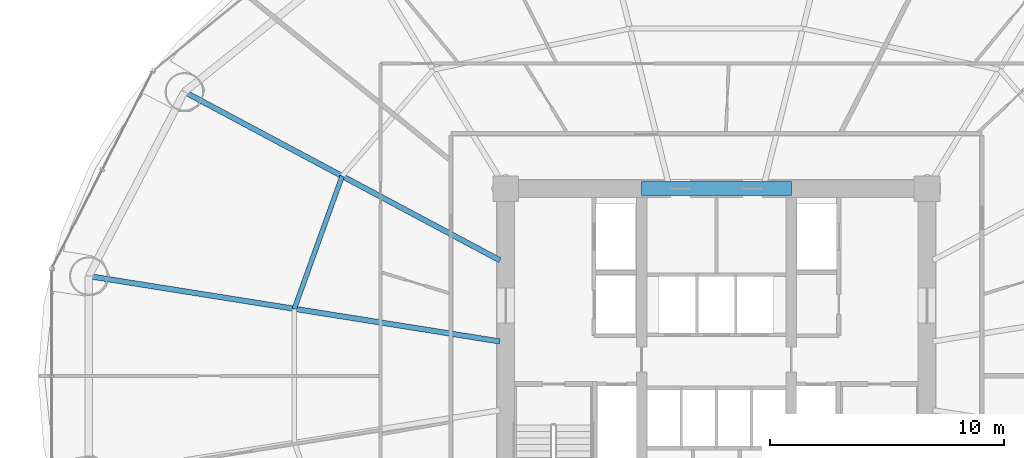
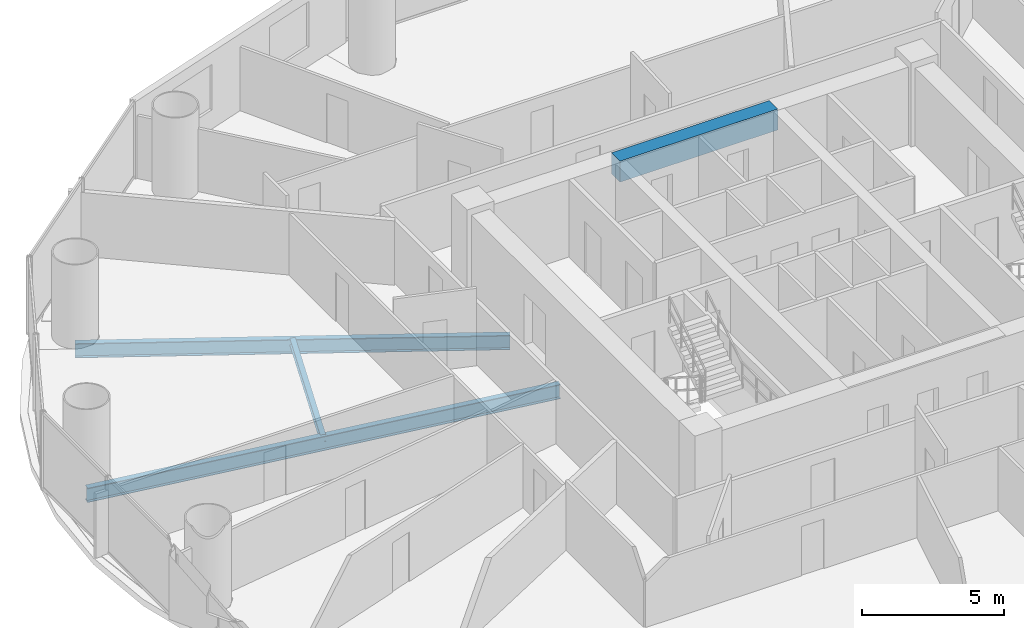
# One storey, part 9 of 29: 4 beams.
"""IFC4 building model written with IfcOpenShell, lengths in metres."""

from ifc_helpers import new_model, si_unit, direction, frame, origin, origin_2d, place, context, subcontext, project, spatial, rectangle, i_section, extrude, material, material_profile, profile_set, type_object, element, save


model = new_model("IFC4")

# Units and contexts
model_context = context("Model", 3, precision=1e-05, world=origin(), true_north=direction((-0.2419218956, 0.970295726276)))
body_context = subcontext(model_context, "Body", "Model", "MODEL_VIEW")
ifc_project = project(units=[si_unit("LENGTHUNIT", "METRE"), si_unit("AREAUNIT", "SQUARE_METRE"), si_unit("VOLUMEUNIT", "CUBIC_METRE"), si_unit("PLANEANGLEUNIT", "RADIAN"), si_unit("MASSUNIT", "GRAM", prefix="KILO")], contexts=[model_context])

# Site, building, storey
site_placement = place(None, origin())
site = spatial("IfcSite", under=ifc_project, at=site_placement, CompositionType="ELEMENT")
building_placement = place(site_placement, origin())
building = spatial("IfcBuilding", under=site, at=building_placement, Name="Cobrevalo Terracotta Tower", CompositionType="ELEMENT")
storey_placement = place(building_placement, frame((0.0, 0.0, 67.199951171875)))
storey = spatial("IfcBuildingStorey", under=building, at=storey_placement, Name="L17", CompositionType="ELEMENT", Elevation=67.199951171875)

# Beams
ifc_material_1 = material(Name="Concrete C60", Category="concrete")
ifc_material_profile_1 = material_profile(ifc_material_1, rectangle(XDim=0.60009765625, YDim=0.89990234375, at=origin_2d()), Name="RC CB 600x900")
ifc_profile_set_1 = profile_set([ifc_material_profile_1], Name="Concrete C60")
beam_type_1 = type_object("IfcBeamType", Name="Structural Beam RC CB 600x900 (Concrete C60)", PredefinedType="BEAM", material=ifc_profile_set_1)
beam_1_placement = place(storey_placement, frame((34.800048828125, 34.800048828125, 2.8701171875), z_axis=(1.0, 0.0, 0.0), x_axis=(0.0, 1.0, 0.0)))
element("IfcBeam", 1, at=beam_1_placement, inside=storey, type_object=beam_type_1, Name="L17 core coupling beam 2", PredefinedType="BEAM", context=body_context, shape_type="SweptSolid", body=[
    extrude(rectangle(XDim=0.60009765625, YDim=0.89990234375, at=origin_2d()), origin(), (0.0, 0.0, 1.0), 6.39990234375),
])
ifc_material_2 = material(Name="Steel S355", Category="steel")
ifc_material_profile_2 = material_profile(ifc_material_2, i_section(OverallWidth=0.22998046875, OverallDepth=0.616943359375, WebThickness=0.01318359375, FlangeThickness=0.022216796875, at=origin_2d()), Name="W 610x140")
ifc_profile_set_2 = profile_set([ifc_material_profile_2], Name="Steel S355")
beam_type_2 = type_object("IfcBeamType", Name="Structural Beam W 610x140 (Steel S355)", PredefinedType="BEAM", material=ifc_profile_set_2)
beam_2_placement = place(storey_placement, frame((15.25927734375, 38.939208984375, -0.58837890625), z_axis=(0.88218223571, -0.470908168329, 0.0), x_axis=(0.470908168329, 0.88218223571, 0.0)))
element("IfcBeam", 2, at=beam_2_placement, inside=storey, type_object=beam_type_2, Name="L17 radial floor girder 07", PredefinedType="BEAM", context=body_context, shape_type="SweptSolid", body=[
    extrude(i_section(OverallWidth=0.22998046875, OverallDepth=0.616943359375, WebThickness=0.01318359375, FlangeThickness=0.022216796875, at=origin_2d()), origin(), (0.0, 0.0, 1.0), 15.286865234375),
])
beam_3_placement = place(storey_placement, frame((11.175537109375, 31.062744140625, -0.58837890625), z_axis=(0.987607924622, -0.156941349628, 0.0), x_axis=(0.156941349628, 0.987607924622, 0.0)))
element("IfcBeam", 3, at=beam_3_placement, inside=storey, type_object=beam_type_2, Name="L17 radial floor girder 08", PredefinedType="BEAM", context=body_context, shape_type="SweptSolid", body=[
    extrude(i_section(OverallWidth=0.22998046875, OverallDepth=0.616943359375, WebThickness=0.01318359375, FlangeThickness=0.022216796875, at=origin_2d()), origin(), (0.0, 0.0, 1.0), 17.7900390625),
])
ifc_material_profile_3 = material_profile(ifc_material_2, i_section(OverallWidth=0.2041015625, OverallDepth=0.305908203125, WebThickness=0.008544921875, FlangeThickness=0.0146484375, at=origin_2d()), Name="W 310x67")
ifc_profile_set_3 = profile_set([ifc_material_profile_3], Name="Steel S355")
beam_type_3 = type_object("IfcBeamType", Name="Structural Joist W 310x67 (Steel S355)", PredefinedType="JOIST", material=ifc_profile_set_3)
beam_4_placement = place(storey_placement, frame((22.002197265625, 35.33984375, -0.432861328125), z_axis=(-0.338672151116, -0.940904444701, 0.0), x_axis=(0.940904444701, -0.338672151116, 0.0)))
element("IfcBeam", 4, at=beam_4_placement, inside=storey, type_object=beam_type_3, Name="L17 circumferential secondary floor joist 07", PredefinedType="JOIST", context=body_context, shape_type="SweptSolid", body=[
    extrude(i_section(OverallWidth=0.2041015625, OverallDepth=0.305908203125, WebThickness=0.008544921875, FlangeThickness=0.0146484375, at=origin_2d()), origin(), (0.0, 0.0, 1.0), 6.029296875),
])

save(model, "model.ifc")
